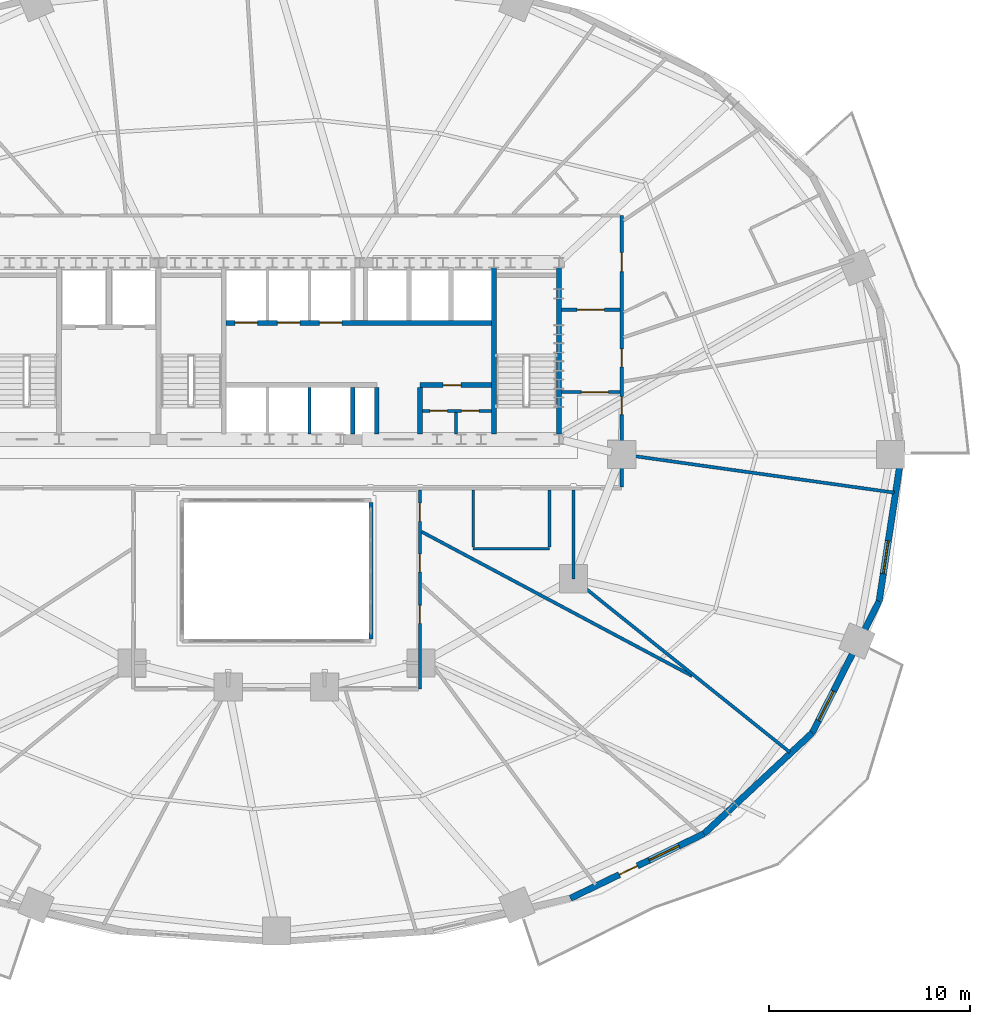
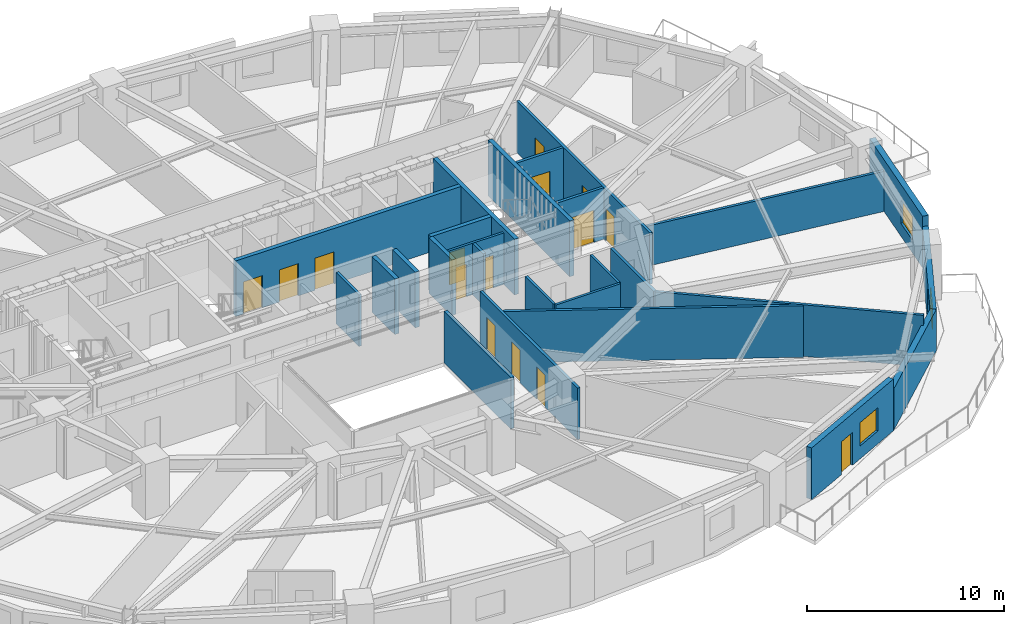
# One storey, part 11 of 17: 26 walls, 15 doors, 3 windows, 18 openings.
"""IFC4 building model written with IfcOpenShell, lengths in metres."""

from ifc_helpers import new_model, si_unit, direction, frame, frame_2d, origin, place, context, subcontext, project, spatial, rectangle, extrude, material, layer, layer_set, type_object, element, fill, save


model = new_model("IFC4")

# Units and contexts
model_context = context("Model", 3, precision=1e-05, world=origin(), true_north=direction((0.0, 1.0)))
body_context = subcontext(model_context, "Body", "Model", "MODEL_VIEW")
ifc_project = project(units=[si_unit("LENGTHUNIT", "METRE"), si_unit("AREAUNIT", "SQUARE_METRE"), si_unit("VOLUMEUNIT", "CUBIC_METRE"), si_unit("PLANEANGLEUNIT", "RADIAN"), si_unit("MASSUNIT", "GRAM", prefix="KILO")], contexts=[model_context])

# Site, building, storey
site_placement = place(None, origin())
site = spatial("IfcSite", under=ifc_project, at=site_placement, CompositionType="ELEMENT")
building_placement = place(site_placement, origin())
building = spatial("IfcBuilding", under=site, at=building_placement, Name="Haldorwick Loom Tower", CompositionType="ELEMENT")
storey_placement = place(building_placement, frame((0.0, 0.0, 61.949951171875)))
storey = spatial("IfcBuildingStorey", under=building, at=storey_placement, Name="L16", CompositionType="ELEMENT", Elevation=61.949951171875)

# Wall, openings, door, window
ifc_material_1 = material(Name="Pressed Clay Face Brick and Insulated Masonry Backup Assembly", Category="masonry")
ifc_layer_1 = layer(ifc_material_1, 0.320068359375, Name="Pressed Clay Face Brick and Insulated Masonry Backup Assembly", Category="masonry")
ifc_layer_set_1 = layer_set([ifc_layer_1], Name="Pressed Clay Face Brick and Insulated Masonry Backup Assembly")
wall_type_1 = type_object("IfcWallType", Name="ARC-WL-EXT320", PredefinedType="STANDARD", material=ifc_layer_set_1)
wall_1_placement = place(storey_placement, frame((50.644775390625, 3.88427734375, 0.0), z_axis=(0.0, 0.0, 1.0), x_axis=(0.900295710431, 0.435278800057, 0.0)))
wall_1 = element("IfcWall", 1, at=wall_1_placement, inside=storey, type_object=wall_type_1, Name="L16 Brick Pier and Spandrel Wall 21", PredefinedType="STANDARD", context=body_context, shape_type="SweptSolid", body=[
    extrude(rectangle(XDim=7.39697265625, YDim=0.320068359375, at=frame_2d((3.698486328125, 0.0))), origin(), (0.0, 0.0, 1.0), 3.2099609375),
])
opening_1_placement = place(wall_1_placement, frame((2.705322265625, 0.0, 0.0)))
opening_1 = element("IfcOpeningElement", 2, at=opening_1_placement, cuts=wall_1, Name="Opening D-BL10", PredefinedType="OPENING", context=body_context, shape_type="SweptSolid", body=[
    extrude(rectangle(XDim=1.0, YDim=2.0400390625, at=frame_2d((0.5, 1.02001953125))), frame((0.0, 0.169921875, 0.0), z_axis=(0.0, -1.0, 0.0), x_axis=(1.0, 0.0, 0.0)), (0.0, 0.0, 1.0), 0.340087890625),
])
opening_2_placement = place(wall_1_placement, frame((4.352783203125, 0.0, 0.800048828125)))
opening_2 = element("IfcOpeningElement", 3, at=opening_2_placement, cuts=wall_1, Name="Opening W-01B", PredefinedType="OPENING", context=body_context, shape_type="SweptSolid", body=[
    extrude(rectangle(XDim=1.64990234375, YDim=1.449951171875, at=frame_2d((0.824951171875, 0.72509765625))), frame((0.0, 0.169921875, 0.0), z_axis=(0.0, -1.0, 0.0), x_axis=(1.0, 0.0, 0.0)), (0.0, 0.0, 1.0), 0.340087890625),
])
ifc_material_2 = material(Name="Thermally Broken Anodized Aluminium Curtain Wall Framing", Category="aluminium")
door_type_1 = type_object("IfcDoorType", Name="ARC-DR-BAL100", OperationType="NOTDEFINED", PredefinedType="DOOR", material=ifc_material_2)
door_1_placement = place(opening_1_placement, origin())
door_1 = element("IfcDoor", 4, at=door_1_placement, inside=storey, type_object=door_type_1, Name="L16 Outdoor Terrace Door SLB-L16-BAL_SE", OperationType="SINGLE_SWING_RIGHT", OverallHeight=2.0400390625, OverallWidth=1.0, PredefinedType="DOOR", context=body_context, shape_type="SweptSolid", body=[
    extrude(rectangle(XDim=1.0, YDim=2.0400390625, at=frame_2d((0.5, 1.02001953125))), frame((0.0, 0.02490234375, 0.0), z_axis=(0.0, -1.0, 0.0), x_axis=(1.0, 0.0, 0.0)), (0.0, 0.0, 1.0), 0.050048828125),
])
fill(opening_1, door_1)
ifc_material_3 = material(Name="Triple-Glazed Low-E Argon Insulated Glazing Unit", Category="glass")
window_type = type_object("IfcWindowType", Name="ARC-WIN-W165", PartitioningType="SINGLE_PANEL", PredefinedType="WINDOW", material=ifc_material_3)
window_1_placement = place(opening_2_placement, origin())
window_1 = element("IfcWindow", 5, at=window_1_placement, inside=storey, type_object=window_type, Name="L16 Deep-Set Zone 7A Window 21", OverallHeight=1.449951171875, OverallWidth=1.64990234375, PartitioningType="SINGLE_PANEL", PredefinedType="WINDOW", context=body_context, shape_type="SweptSolid", body=[
    extrude(rectangle(XDim=1.64990234375, YDim=1.449951171875, at=frame_2d((0.824951171875, 0.72509765625))), frame((0.0, 0.030029296875, 0.0), z_axis=(0.0, -1.0, 0.0), x_axis=(1.0, 0.0, 0.0)), (0.0, 0.0, 1.0), 0.06005859375),
])
fill(opening_2, window_1)

# Wall
wall_2_placement = place(storey_placement, frame((57.30419921875, 7.10400390625, 0.0), z_axis=(0.0, 0.0, 1.0), x_axis=(0.73176101237, 0.681561311091, 0.0)))
element("IfcWall", 6, at=wall_2_placement, inside=storey, type_object=wall_type_1, Name="L16 Brick Pier and Spandrel Wall 22", PredefinedType="STANDARD", context=body_context, shape_type="SweptSolid", body=[
    extrude(rectangle(XDim=7.3583984375, YDim=0.320068359375, at=frame_2d((3.67919921875, 0.0))), origin(), (0.0, 0.0, 1.0), 2.569091796875),
])

# Wall, opening, window
wall_3_placement = place(storey_placement, frame((62.688720703125, 12.119140625, 0.0), z_axis=(0.0, 0.0, 1.0), x_axis=(0.452950855928, 0.891535485617, 0.0)))
wall_3 = element("IfcWall", 7, at=wall_3_placement, inside=storey, type_object=wall_type_1, Name="L16 Brick Pier and Spandrel Wall 23", PredefinedType="STANDARD", context=body_context, shape_type="SweptSolid", body=[
    extrude(rectangle(XDim=7.3583984375, YDim=0.320068359375, at=frame_2d((3.67919921875, 0.0))), origin(), (0.0, 0.0, 1.0), 2.569091796875),
])
opening_3_placement = place(wall_3_placement, frame((0.69921875, 0.0, 0.800048828125)))
opening_3 = element("IfcOpeningElement", 8, at=opening_3_placement, cuts=wall_3, Name="Opening W-01B", PredefinedType="OPENING", context=body_context, shape_type="SweptSolid", body=[
    extrude(rectangle(XDim=1.64990234375, YDim=1.449951171875, at=frame_2d((0.824951171875, 0.72509765625))), frame((0.0, 0.169921875, 0.0), z_axis=(0.0, -1.0, 0.0), x_axis=(1.0, 0.0, 0.0)), (0.0, 0.0, 1.0), 0.340087890625),
])
window_2_placement = place(opening_3_placement, origin())
window_2 = element("IfcWindow", 9, at=window_2_placement, inside=storey, type_object=window_type, Name="L16 Deep-Set Zone 7A Window 23", OverallHeight=1.449951171875, OverallWidth=1.64990234375, PartitioningType="SINGLE_PANEL", PredefinedType="WINDOW", context=body_context, shape_type="SweptSolid", body=[
    extrude(rectangle(XDim=1.64990234375, YDim=1.449951171875, at=frame_2d((0.824951171875, 0.72509765625))), frame((0.0, 0.030029296875, 0.0), z_axis=(0.0, -1.0, 0.0), x_axis=(1.0, 0.0, 0.0)), (0.0, 0.0, 1.0), 0.06005859375),
])
fill(opening_3, window_2)

wall_4_placement = place(storey_placement, frame((66.021728515625, 18.679443359375, 0.0), z_axis=(0.0, 0.0, 1.0), x_axis=(0.150476322528, 0.988613613278, 0.0)))
wall_4 = element("IfcWall", 10, at=wall_4_placement, inside=storey, type_object=wall_type_1, Name="L16 Brick Pier and Spandrel Wall 24", PredefinedType="STANDARD", context=body_context, shape_type="SweptSolid", body=[
    extrude(rectangle(XDim=7.40478515625, YDim=0.320068359375, at=frame_2d((3.702392578125, 0.0))), origin(), (0.0, 0.0, 1.0), 3.2099609375),
])
opening_4_placement = place(wall_4_placement, frame((1.396484375, 0.0, 0.800048828125)))
opening_4 = element("IfcOpeningElement", 11, at=opening_4_placement, cuts=wall_4, Name="Opening W-01B", PredefinedType="OPENING", context=body_context, shape_type="SweptSolid", body=[
    extrude(rectangle(XDim=1.64990234375, YDim=1.449951171875, at=frame_2d((0.824951171875, 0.72509765625))), frame((0.0, 0.169921875, 0.0), z_axis=(0.0, -1.0, 0.0), x_axis=(1.0, 0.0, 0.0)), (0.0, 0.0, 1.0), 0.340087890625),
])
window_3_placement = place(opening_4_placement, origin())
window_3 = element("IfcWindow", 12, at=window_3_placement, inside=storey, type_object=window_type, Name="L16 Deep-Set Zone 7A Window 24", OverallHeight=1.449951171875, OverallWidth=1.64990234375, PartitioningType="SINGLE_PANEL", PredefinedType="WINDOW", context=body_context, shape_type="SweptSolid", body=[
    extrude(rectangle(XDim=1.64990234375, YDim=1.449951171875, at=frame_2d((0.824951171875, 0.72509765625))), frame((0.0, 0.030029296875, 0.0), z_axis=(0.0, -1.0, 0.0), x_axis=(1.0, 0.0, 0.0)), (0.0, 0.0, 1.0), 0.06005859375),
])
fill(opening_4, window_3)

# Wall, openings, doors
ifc_material_4 = material(Name="Fire-Rated Type X Gypsum Stud Assembly EI 60")
ifc_layer_2 = layer(ifc_material_4, 0.159912109375, Name="Fire-Rated Type X Gypsum Stud Assembly EI 60")
ifc_layer_set_2 = layer_set([ifc_layer_2], Name="Fire-Rated Type X Gypsum Stud Assembly EI 60")
wall_type_2 = type_object("IfcWallType", Name="ARC-WL-FIRE160", PredefinedType="PARTITIONING", material=ifc_layer_set_2)
wall_5_placement = place(storey_placement, frame((53.199951171875, 24.383056640625, 0.0), z_axis=(0.0, 0.0, 1.0), x_axis=(0.0, 1.0, 0.0)))
wall_5 = element("IfcWall", 13, at=wall_5_placement, inside=storey, type_object=wall_type_2, Name="L16 Residential Fire Partition L16-CR-E0", PredefinedType="PARTITIONING", context=body_context, shape_type="SweptSolid", body=[
    extrude(rectangle(XDim=13.516845703125, YDim=0.159912109375, at=frame_2d((6.75830078125, 0.0))), origin(), (0.0, 0.0, 1.0), 3.195068359375),
])
opening_5_placement = place(wall_5_placement, frame((10.71533203125, 0.0, 0.0)))
opening_5 = element("IfcOpeningElement", 14, at=opening_5_placement, cuts=wall_5, Name="Opening D-FL95", PredefinedType="OPENING", context=body_context, shape_type="SweptSolid", body=[
    extrude(rectangle(XDim=0.949951171875, YDim=2.0400390625, at=frame_2d((0.47509765625, 1.02001953125))), frame((0.0, 0.08984375, 0.0), z_axis=(0.0, -1.0, 0.0), x_axis=(1.0, 0.0, 0.0)), (0.0, 0.0, 1.0), 0.179931640625),
])
opening_6_placement = place(wall_5_placement, frame((3.5908203125, 0.0, 0.0)))
opening_6 = element("IfcOpeningElement", 15, at=opening_6_placement, cuts=wall_5, Name="Opening D-FD60A", PredefinedType="OPENING", context=body_context, shape_type="SweptSolid", body=[
    extrude(rectangle(XDim=0.89990234375, YDim=2.0, at=frame_2d((0.449951171875, 1.0))), frame((0.0, 0.08984375, 0.0), z_axis=(0.0, -1.0, 0.0), x_axis=(1.0, 0.0, 0.0)), (0.0, 0.0, 1.0), 0.179931640625),
])
opening_7_placement = place(wall_5_placement, frame((5.97607421875, 0.0, 0.0)))
opening_7 = element("IfcOpeningElement", 16, at=opening_7_placement, cuts=wall_5, Name="Opening D-FD60A", PredefinedType="OPENING", context=body_context, shape_type="SweptSolid", body=[
    extrude(rectangle(XDim=0.89990234375, YDim=2.0, at=frame_2d((0.449951171875, 1.0))), frame((0.0, 0.08984375, 0.0), z_axis=(0.0, -1.0, 0.0), x_axis=(1.0, 0.0, 0.0)), (0.0, 0.0, 1.0), 0.179931640625),
])
ifc_material_5 = material(Name="Hollow Steel Fire Door Assembly", Category="steel")
door_type_2 = type_object("IfcDoorType", Name="ARC-DR-FD60-90", OperationType="NOTDEFINED", PredefinedType="DOOR", material=ifc_material_5)
door_2_placement = place(opening_6_placement, origin())
door_2 = element("IfcDoor", 17, at=door_2_placement, inside=storey, type_object=door_type_2, Name="L16 L16 Central Residential Corridor to Tenant Seminar Meeting Room 14 D", OperationType="SINGLE_SWING_RIGHT", OverallHeight=2.0, OverallWidth=0.89990234375, PredefinedType="DOOR", context=body_context, shape_type="SweptSolid", body=[
    extrude(rectangle(XDim=0.89990234375, YDim=2.0, at=frame_2d((0.449951171875, 1.0))), frame((0.0, 0.02490234375, 0.0), z_axis=(0.0, -1.0, 0.0), x_axis=(1.0, 0.0, 0.0)), (0.0, 0.0, 1.0), 0.050048828125),
])
fill(opening_6, door_2)
door_3_placement = place(opening_7_placement, origin())
door_3 = element("IfcDoor", 18, at=door_3_placement, inside=storey, type_object=door_type_2, Name="L16 L16 East Residential Corridor to Tenant Seminar Meeting Room 15 Door", OperationType="SINGLE_SWING_LEFT", OverallHeight=2.0, OverallWidth=0.89990234375, PredefinedType="DOOR", context=body_context, shape_type="SweptSolid", body=[
    extrude(rectangle(XDim=0.89990234375, YDim=2.0, at=frame_2d((0.449951171875, 1.0))), frame((0.0, 0.02490234375, 0.0), z_axis=(0.0, -1.0, 0.0), x_axis=(1.0, 0.0, 0.0)), (0.0, 0.0, 1.0), 0.050048828125),
])
fill(opening_7, door_3)
ifc_material_6 = material(Name="Solid Core Birch Architectural Door")
door_type_3 = type_object("IfcDoorType", Name="ARC-DR-FLAT95", OperationType="NOTDEFINED", PredefinedType="DOOR", material=ifc_material_6)
door_4_placement = place(opening_5_placement, origin())
door_4 = element("IfcDoor", 19, at=door_4_placement, inside=storey, type_object=door_type_3, Name="L16 L16 North Residential Corridor to Unit 16G Kitchen and Living Room D", OperationType="SINGLE_SWING_RIGHT", OverallHeight=2.0400390625, OverallWidth=0.949951171875, PredefinedType="DOOR", context=body_context, shape_type="SweptSolid", body=[
    extrude(rectangle(XDim=0.949951171875, YDim=2.0400390625, at=frame_2d((0.47509765625, 1.02001953125))), frame((0.0, 0.02490234375, 0.0), z_axis=(0.0, -1.0, 0.0), x_axis=(1.0, 0.0, 0.0)), (0.0, 0.0, 1.0), 0.050048828125),
])
fill(opening_5, door_4)

# Wall, opening, door
wall_6_placement = place(storey_placement, frame((50.193115234375, 29.10009765625, 0.0), z_axis=(0.0, 0.0, 1.0), x_axis=(1.0, 0.0, 0.0)))
wall_6 = element("IfcWall", 20, at=wall_6_placement, inside=storey, type_object=wall_type_2, Name="L16 Residential Fire Partition L16-CR-ESJ", PredefinedType="PARTITIONING", context=body_context, shape_type="SweptSolid", body=[
    extrude(rectangle(XDim=2.923828125, YDim=0.159912109375, at=frame_2d((1.4619140625, 0.0))), origin(), (0.0, 0.0, 1.0), 3.195068359375),
])
opening_8_placement = place(wall_6_placement, frame((0.99560546875, 0.0, 0.0)))
opening_8 = element("IfcOpeningElement", 21, at=opening_8_placement, cuts=wall_6, Name="Opening D-CR15", PredefinedType="OPENING", context=body_context, shape_type="SweptSolid", body=[
    extrude(rectangle(XDim=1.35009765625, YDim=2.0, at=frame_2d((0.675048828125, 1.0))), frame((0.0, 0.08984375, 0.0), z_axis=(0.0, -1.0, 0.0), x_axis=(1.0, 0.0, 0.0)), (0.0, 0.0, 1.0), 0.179931640625),
])
ifc_material_7 = material(Name="Thermally Broken Anodized Aluminium and Tempered Glass", Category="aluminium")
door_type_4 = type_object("IfcDoorType", Name="ARC-DR-COR150", OperationType="NOTDEFINED", PredefinedType="DOOR", material=ifc_material_7)
door_5_placement = place(opening_8_placement, origin())
door_5 = element("IfcDoor", 22, at=door_5_placement, inside=storey, type_object=door_type_4, Name="L16 L16 East Residential Corridor to L16 Central Residential Corridor Do", OperationType="DOUBLE_DOOR_SINGLE_SWING", OverallHeight=2.0, OverallWidth=1.35009765625, PredefinedType="DOOR", context=body_context, shape_type="SweptSolid", body=[
    extrude(rectangle(XDim=1.35009765625, YDim=2.0, at=frame_2d((0.675048828125, 1.0))), frame((0.0, 0.02490234375, 0.0), z_axis=(0.0, -1.0, 0.0), x_axis=(1.0, 0.0, 0.0)), (0.0, 0.0, 1.0), 0.050048828125),
])
fill(opening_8, door_5)

wall_7_placement = place(storey_placement, frame((50.193115234375, 33.199951171875, 0.0), z_axis=(0.0, 0.0, 1.0), x_axis=(1.0, 0.0, 0.0)))
wall_7 = element("IfcWall", 23, at=wall_7_placement, inside=storey, type_object=wall_type_2, Name="L16 Residential Fire Partition L16-CR-ENJ", PredefinedType="PARTITIONING", context=body_context, shape_type="SweptSolid", body=[
    extrude(rectangle(XDim=2.923828125, YDim=0.159912109375, at=frame_2d((1.4619140625, 0.0))), origin(), (0.0, 0.0, 1.0), 3.195068359375),
])
opening_9_placement = place(wall_7_placement, frame((0.787109375, 0.0, 0.0)))
opening_9 = element("IfcOpeningElement", 24, at=opening_9_placement, cuts=wall_7, Name="Opening D-CR15", PredefinedType="OPENING", context=body_context, shape_type="SweptSolid", body=[
    extrude(rectangle(XDim=1.35009765625, YDim=2.0, at=frame_2d((0.675048828125, 1.0))), frame((0.0, 0.08984375, 0.0), z_axis=(0.0, -1.0, 0.0), x_axis=(1.0, 0.0, 0.0)), (0.0, 0.0, 1.0), 0.179931640625),
])
door_6_placement = place(opening_9_placement, origin())
door_6 = element("IfcDoor", 25, at=door_6_placement, inside=storey, type_object=door_type_4, Name="L16 L16 North Residential Corridor to L16 East Residential Corridor Door", OperationType="DOUBLE_DOOR_SINGLE_SWING", OverallHeight=2.0, OverallWidth=1.35009765625, PredefinedType="DOOR", context=body_context, shape_type="SweptSolid", body=[
    extrude(rectangle(XDim=1.35009765625, YDim=2.0, at=frame_2d((0.675048828125, 1.0))), frame((0.0, 0.02490234375, 0.0), z_axis=(0.0, -1.0, 0.0), x_axis=(1.0, 0.0, 0.0)), (0.0, 0.0, 1.0), 0.050048828125),
])
fill(opening_9, door_6)

# Wall, openings, doors
wall_8_placement = place(storey_placement, frame((43.14990234375, 14.300048828125, 0.0), z_axis=(0.0, 0.0, 1.0), x_axis=(0.0, 1.0, 0.0)))
wall_8 = element("IfcWall", 26, at=wall_8_placement, inside=storey, type_object=wall_type_2, Name="L16 Residential Fire Partition L16-CR-AE", PredefinedType="PARTITIONING", context=body_context, shape_type="SweptSolid", body=[
    extrude(rectangle(XDim=9.9169921875, YDim=0.159912109375, at=frame_2d((4.95849609375, 0.0))), origin(), (0.0, 0.0, 1.0), 3.195068359375),
])
opening_10_placement = place(wall_8_placement, frame((3.27978515625, 0.0, 0.0)))
opening_10 = element("IfcOpeningElement", 27, at=opening_10_placement, cuts=wall_8, Name="Opening D-FD60A", PredefinedType="OPENING", context=body_context, shape_type="SweptSolid", body=[
    extrude(rectangle(XDim=0.89990234375, YDim=2.0, at=frame_2d((0.449951171875, 1.0))), frame((0.0, 0.08984375, 0.0), z_axis=(0.0, -1.0, 0.0), x_axis=(1.0, 0.0, 0.0)), (0.0, 0.0, 1.0), 0.179931640625),
])
opening_11_placement = place(wall_8_placement, frame((5.830810546875, 0.0, 0.0)))
opening_11 = element("IfcOpeningElement", 28, at=opening_11_placement, cuts=wall_8, Name="Opening D-FD60A", PredefinedType="OPENING", context=body_context, shape_type="SweptSolid", body=[
    extrude(rectangle(XDim=0.89990234375, YDim=2.0, at=frame_2d((0.449951171875, 1.0))), frame((0.0, 0.08984375, 0.0), z_axis=(0.0, -1.0, 0.0), x_axis=(1.0, 0.0, 0.0)), (0.0, 0.0, 1.0), 0.179931640625),
])
opening_12_placement = place(wall_8_placement, frame((8.364990234375, 0.0, 0.0)))
opening_12 = element("IfcOpeningElement", 29, at=opening_12_placement, cuts=wall_8, Name="Opening D-FD60A", PredefinedType="OPENING", context=body_context, shape_type="SweptSolid", body=[
    extrude(rectangle(XDim=0.89990234375, YDim=2.0, at=frame_2d((0.449951171875, 1.0))), frame((0.0, 0.08984375, 0.0), z_axis=(0.0, -1.0, 0.0), x_axis=(1.0, 0.0, 0.0)), (0.0, 0.0, 1.0), 0.179931640625),
])
door_7_placement = place(opening_10_placement, origin())
door_7 = element("IfcDoor", 30, at=door_7_placement, inside=storey, type_object=door_type_2, Name="L16 L16 South Atrium Corridor to Tenant Seminar Meeting Room 11 Door", OperationType="SINGLE_SWING_RIGHT", OverallHeight=2.0, OverallWidth=0.89990234375, PredefinedType="DOOR", context=body_context, shape_type="SweptSolid", body=[
    extrude(rectangle(XDim=0.89990234375, YDim=2.0, at=frame_2d((0.449951171875, 1.0))), frame((0.0, 0.02490234375, 0.0), z_axis=(0.0, -1.0, 0.0), x_axis=(1.0, 0.0, 0.0)), (0.0, 0.0, 1.0), 0.050048828125),
])
fill(opening_10, door_7)
door_8_placement = place(opening_11_placement, origin())
door_8 = element("IfcDoor", 31, at=door_8_placement, inside=storey, type_object=door_type_2, Name="L16 L16 South Atrium Corridor to Tenant Seminar Meeting Room 12 Door", OperationType="SINGLE_SWING_RIGHT", OverallHeight=2.0, OverallWidth=0.89990234375, PredefinedType="DOOR", context=body_context, shape_type="SweptSolid", body=[
    extrude(rectangle(XDim=0.89990234375, YDim=2.0, at=frame_2d((0.449951171875, 1.0))), frame((0.0, 0.02490234375, 0.0), z_axis=(0.0, -1.0, 0.0), x_axis=(1.0, 0.0, 0.0)), (0.0, 0.0, 1.0), 0.050048828125),
])
fill(opening_11, door_8)
door_9_placement = place(opening_12_placement, origin())
door_9 = element("IfcDoor", 32, at=door_9_placement, inside=storey, type_object=door_type_2, Name="L16 L16 South Atrium Corridor to Telehealth Consultation Room 1 Door", OperationType="SINGLE_SWING_RIGHT", OverallHeight=2.0, OverallWidth=0.89990234375, PredefinedType="DOOR", context=body_context, shape_type="SweptSolid", body=[
    extrude(rectangle(XDim=0.89990234375, YDim=2.0, at=frame_2d((0.449951171875, 1.0))), frame((0.0, 0.02490234375, 0.0), z_axis=(0.0, -1.0, 0.0), x_axis=(1.0, 0.0, 0.0)), (0.0, 0.0, 1.0), 0.050048828125),
])
fill(opening_12, door_9)

# Walls
wall_9_placement = place(storey_placement, frame((53.282958984375, 25.98828125, 0.0), z_axis=(0.0, 0.0, 1.0), x_axis=(0.990269349873, -0.139163984935, 0.0)))
element("IfcWall", 33, at=wall_9_placement, inside=storey, type_object=wall_type_2, Name="L16 Residential Fire Partition L16-ICR-01", PredefinedType="PARTITIONING", context=body_context, shape_type="SweptSolid", body=[
    extrude(rectangle(XDim=13.62939453125, YDim=0.159912109375, at=frame_2d((6.814697265625, 0.0))), origin(), (0.0, 0.0, 1.0), 2.489990234375),
])
wall_10_placement = place(storey_placement, frame((50.800048828125, 19.800048828125, 0.0), z_axis=(0.0, 0.0, 1.0), x_axis=(0.780107253362, -0.625645804951, 0.0)))
element("IfcWall", 34, at=wall_10_placement, inside=storey, type_object=wall_type_2, Name="L16 Residential Fire Partition L16-ICR-03", PredefinedType="PARTITIONING", context=body_context, shape_type="SweptSolid", body=[
    extrude(rectangle(XDim=13.80322265625, YDim=0.159912109375, at=frame_2d((6.901611328125, 0.0))), origin(), (0.0, 0.0, 1.0), 3.195068359375),
])
wall_11_placement = place(storey_placement, frame((50.800048828125, 24.217041015625, 0.0), z_axis=(0.0, 0.0, 1.0), x_axis=(0.0, -1.0, 0.0)))
element("IfcWall", 35, at=wall_11_placement, inside=storey, type_object=wall_type_2, Name="L16 Residential Fire Partition L16-ICA-02", PredefinedType="PARTITIONING", context=body_context, shape_type="SweptSolid", body=[
    extrude(rectangle(XDim=4.4169921875, YDim=0.159912109375, at=frame_2d((2.20849609375, 0.0))), origin(), (0.0, 0.0, 1.0), 3.195068359375),
])
wall_12_placement = place(storey_placement, frame((43.23291015625, 22.142822265625, 0.0), z_axis=(0.0, 0.0, 1.0), x_axis=(0.88238216171, -0.470533442696, 0.0)))
element("IfcWall", 36, at=wall_12_placement, inside=storey, type_object=wall_type_2, Name="L16 Suite Split Wall", PredefinedType="PARTITIONING", context=body_context, shape_type="SweptSolid", body=[
    extrude(rectangle(XDim=15.263916015625, YDim=0.159912109375, at=frame_2d((7.6318359375, 0.0))), origin(), (0.0, 0.0, 1.0), 3.195068359375),
])
ifc_material_8 = material(Name="Fire-Rated Type X Gypsum Stud Assembly EI 120")
ifc_layer_3 = layer(ifc_material_8, 0.199951171875, Name="Fire-Rated Type X Gypsum Stud Assembly EI 120")
ifc_layer_set_3 = layer_set([ifc_layer_3], Name="Fire-Rated Type X Gypsum Stud Assembly EI 120")
wall_type_3 = type_object("IfcWallType", Name="ARC-WL-FIRE200", PredefinedType="PARTITIONING", material=ifc_layer_set_3)
wall_13_placement = place(storey_placement, frame((40.699951171875, 23.596923828125, 0.0), z_axis=(0.0, 0.0, 1.0), x_axis=(0.0, -1.0, 0.0)))
element("IfcWall", 37, at=wall_13_placement, inside=storey, type_object=wall_type_3, Name="L16 Atrium Fire Enclosure Wall E", PredefinedType="PARTITIONING", context=body_context, shape_type="SweptSolid", body=[
    extrude(rectangle(XDim=6.7939453125, YDim=0.199951171875, at=frame_2d((3.39697265625, 0.0))), origin(), (0.0, 0.0, 1.0), 3.195068359375),
])

# Wall, openings, doors
ifc_layer_4 = layer(ifc_material_4, 0.139892578125, Name="Fire-Rated Type X Gypsum Stud Assembly EI 60")
ifc_layer_set_4 = layer_set([ifc_layer_4], Name="Fire-Rated Type X Gypsum Stud Assembly EI 60")
wall_type_4 = type_object("IfcWallType", Name="ARC-WL-PART140", PredefinedType="PARTITIONING", material=ifc_layer_set_4)
wall_14_placement = place(storey_placement, frame((43.27294921875, 28.159912109375, 0.0), z_axis=(0.0, 0.0, 1.0), x_axis=(1.0, 0.0, 0.0)))
wall_14 = element("IfcWall", 38, at=wall_14_placement, inside=storey, type_object=wall_type_4, Name="L16 Telecom Partition", PredefinedType="PARTITIONING", context=body_context, shape_type="SweptSolid", body=[
    extrude(rectangle(XDim=3.43408203125, YDim=0.139892578125, at=frame_2d((1.717041015625, 0.0))), origin(), (0.0, 0.0, 1.0), 3.195068359375),
])
opening_13_placement = place(wall_14_placement, frame((0.366943359375, 0.0, 0.0)))
opening_13 = element("IfcOpeningElement", 39, at=opening_13_placement, cuts=wall_14, Name="Opening D-BT88", PredefinedType="OPENING", context=body_context, shape_type="SweptSolid", body=[
    extrude(rectangle(XDim=0.8798828125, YDim=2.02001953125, at=frame_2d((0.43994140625, 1.010009765625))), frame((0.0, 0.079833984375, 0.0), z_axis=(0.0, -1.0, 0.0), x_axis=(1.0, 0.0, 0.0)), (0.0, 0.0, 1.0), 0.159912109375),
])
opening_14_placement = place(wall_14_placement, frame((1.93701171875, 0.0, 0.0)))
opening_14 = element("IfcOpeningElement", 40, at=opening_14_placement, cuts=wall_14, Name="Opening D-BT88", PredefinedType="OPENING", context=body_context, shape_type="SweptSolid", body=[
    extrude(rectangle(XDim=0.8798828125, YDim=2.02001953125, at=frame_2d((0.43994140625, 1.010009765625))), frame((0.0, 0.079833984375, 0.0), z_axis=(0.0, -1.0, 0.0), x_axis=(1.0, 0.0, 0.0)), (0.0, 0.0, 1.0), 0.159912109375),
])
door_type_5 = type_object("IfcDoorType", Name="ARC-DR-BATH88", OperationType="NOTDEFINED", PredefinedType="DOOR", material=ifc_material_6)
door_10_placement = place(opening_13_placement, origin())
door_10 = element("IfcDoor", 41, at=door_10_placement, inside=storey, type_object=door_type_5, Name="L16 Telecom Room Door", OperationType="SINGLE_SWING_LEFT", OverallHeight=2.02001953125, OverallWidth=0.8798828125, PredefinedType="DOOR", context=body_context, shape_type="SweptSolid", body=[
    extrude(rectangle(XDim=0.8798828125, YDim=2.02001953125, at=frame_2d((0.43994140625, 1.010009765625))), frame((0.0, 0.02490234375, 0.0), z_axis=(0.0, -1.0, 0.0), x_axis=(1.0, 0.0, 0.0)), (0.0, 0.0, 1.0), 0.050048828125),
])
fill(opening_13, door_10)
door_11_placement = place(opening_14_placement, origin())
door_11 = element("IfcDoor", 42, at=door_11_placement, inside=storey, type_object=door_type_5, Name="L16 Metering Closet Door", OperationType="SINGLE_SWING_RIGHT", OverallHeight=2.02001953125, OverallWidth=0.8798828125, PredefinedType="DOOR", context=body_context, shape_type="SweptSolid", body=[
    extrude(rectangle(XDim=0.8798828125, YDim=2.02001953125, at=frame_2d((0.43994140625, 1.010009765625))), frame((0.0, 0.02490234375, 0.0), z_axis=(0.0, -1.0, 0.0), x_axis=(1.0, 0.0, 0.0)), (0.0, 0.0, 1.0), 0.050048828125),
])
fill(opening_14, door_11)

# Walls
wall_15_placement = place(storey_placement, frame((44.949951171875, 27.0029296875, 0.0), z_axis=(0.0, 0.0, 1.0), x_axis=(0.0, 1.0, 0.0)))
element("IfcWall", 43, at=wall_15_placement, inside=storey, type_object=wall_type_4, Name="L16 Metering Sub-Partition", PredefinedType="PARTITIONING", context=body_context, shape_type="SweptSolid", body=[
    extrude(rectangle(XDim=1.083984375, YDim=0.139892578125, at=frame_2d((0.5419921875, 0.0))), origin(), (0.0, 0.0, 1.0), 3.195068359375),
])
wall_16_placement = place(storey_placement, frame((45.800048828125, 21.300048828125, 0.0), z_axis=(0.0, 0.0, 1.0), x_axis=(1.0, 0.0, 0.0)))
element("IfcWall", 44, at=wall_16_placement, inside=storey, type_object=wall_type_4, Name="L16 Residential Fire Partition L16-CWC-S", PredefinedType="PARTITIONING", context=body_context, shape_type="SweptSolid", body=[
    extrude(rectangle(XDim=3.800048828125, YDim=0.139892578125, at=frame_2d((1.89990234375, 0.0))), origin(), (0.0, 0.0, 1.0), 3.195068359375),
])
for number, where, z_axis, x_axis, name in (
    (45, (45.800048828125, 21.373046875, 0.0), (0.0, 0.0, 1.0), (0.0, 1.0, 0.0), "L16 Residential Fire Partition L16-CWC-W"),
    (46, (49.60009765625, 21.373046875, 0.0), (0.0, 0.0, 1.0), (0.0, 1.0, 0.0), "L16 Residential Fire Partition L16-CWC-E"),
):
    element("IfcWall", number, at=place(storey_placement, frame(where, z_axis=z_axis, x_axis=x_axis)), inside=storey, type_object=wall_type_4, Name=name, PredefinedType="PARTITIONING", context=body_context, shape_type="SweptSolid", body=[
        extrude(rectangle(XDim=2.843994140625, YDim=0.139892578125, at=frame_2d((1.421875, 0.0))), origin(), (0.0, 0.0, 1.0), 3.195068359375),
    ])
ifc_layer_5 = layer(ifc_material_8, 0.1650390625, Name="Fire-Rated Type X Gypsum Stud Assembly EI 120")
ifc_layer_set_5 = layer_set([ifc_layer_5], Name="Fire-Rated Type X Gypsum Stud Assembly EI 120")
wall_type_5 = type_object("IfcWallType", Name="ARC-WL-SHAFT160", PredefinedType="MOVABLE", material=ifc_layer_set_5)
wall_17_placement = place(storey_placement, frame((37.64990234375, 27.0029296875, 0.0), z_axis=(0.0, 0.0, 1.0), x_axis=(0.0, 1.0, 0.0)))
element("IfcWall", 47, at=wall_17_placement, inside=storey, type_object=wall_type_5, Name="L16 Mid-Rise Hoistway Divider 2", PredefinedType="MOVABLE", context=body_context, shape_type="SweptSolid", body=[
    extrude(rectangle(XDim=2.323974609375, YDim=0.159912109375, at=frame_2d((1.162109375, 0.0))), origin(), (0.0, 0.0, 1.0), 3.195068359375),
])
ifc_material_9 = material(Name="Concrete C50 (50 MPa)", Category="concrete")
ifc_layer_6 = layer(ifc_material_9, 0.239990234375, Name="Concrete C50 (50 MPa)", Category="concrete")
ifc_layer_set_6 = layer_set([ifc_layer_6], Name="Concrete C50 (50 MPa)")
wall_type_6 = type_object("IfcWallType", Name="STR-WL-SHAFT240", PredefinedType="SHEAR", material=ifc_layer_set_6)
for number, where, z_axis, x_axis, name in (
    (48, (50.070068359375, 27.0029296875, 0.0), (0.0, 0.0, 1.0), (0.0, 1.0, 0.0), "L16 Core Shear Wall E"),
    (49, (46.830078125, 27.0029296875, 0.0), (0.0, 0.0, 1.0), (0.0, 1.0, 0.0), "L16 Core Shear Wall 4"),
):
    element("IfcWall", number, at=place(storey_placement, frame(where, z_axis=z_axis, x_axis=x_axis)), inside=storey, type_object=wall_type_6, Name=name, PredefinedType="SHEAR", context=body_context, shape_type="SweptSolid", body=[
        extrude(rectangle(XDim=8.294189453125, YDim=0.239990234375, at=frame_2d((4.14697265625, 0.0))), origin(), (0.0, 0.0, 1.0), 3.449951171875),
    ])

# Wall, openings, doors
wall_18_placement = place(storey_placement, frame((33.492919921875, 32.550048828125, 0.0), z_axis=(0.0, 0.0, 1.0), x_axis=(1.0, 0.0, 0.0)))
wall_18 = element("IfcWall", 50, at=wall_18_placement, inside=storey, type_object=wall_type_6, Name="L16 Core Shear Wall LN", PredefinedType="SHEAR", context=body_context, shape_type="SweptSolid", body=[
    extrude(rectangle(XDim=13.214111328125, YDim=0.239990234375, at=frame_2d((6.60693359375, 0.0))), origin(), (0.0, 0.0, 1.0), 3.449951171875),
])
opening_15_placement = place(wall_18_placement, frame((0.447021484375, 0.0, 0.0)))
opening_15 = element("IfcOpeningElement", 51, at=opening_15_placement, cuts=wall_18, Name="Opening LD-L1", PredefinedType="OPENING", context=body_context, shape_type="SweptSolid", body=[
    extrude(rectangle(XDim=1.1201171875, YDim=2.0, at=frame_2d((0.56005859375, 1.0))), frame((0.0, 0.1298828125, 0.0), z_axis=(0.0, -1.0, 0.0), x_axis=(1.0, 0.0, 0.0)), (0.0, 0.0, 1.0), 0.260009765625),
])
opening_16_placement = place(wall_18_placement, frame((2.547119140625, 0.0, 0.0)))
opening_16 = element("IfcOpeningElement", 52, at=opening_16_placement, cuts=wall_18, Name="Opening LD-L2", PredefinedType="OPENING", context=body_context, shape_type="SweptSolid", body=[
    extrude(rectangle(XDim=1.1201171875, YDim=2.0, at=frame_2d((0.56005859375, 1.0))), frame((0.0, 0.1298828125, 0.0), z_axis=(0.0, -1.0, 0.0), x_axis=(1.0, 0.0, 0.0)), (0.0, 0.0, 1.0), 0.260009765625),
])
opening_17_placement = place(wall_18_placement, frame((4.64697265625, 0.0, 0.0)))
opening_17 = element("IfcOpeningElement", 53, at=opening_17_placement, cuts=wall_18, Name="Opening LD-L3", PredefinedType="OPENING", context=body_context, shape_type="SweptSolid", body=[
    extrude(rectangle(XDim=1.1201171875, YDim=2.0, at=frame_2d((0.56005859375, 1.0))), frame((0.0, 0.1298828125, 0.0), z_axis=(0.0, -1.0, 0.0), x_axis=(1.0, 0.0, 0.0)), (0.0, 0.0, 1.0), 0.260009765625),
])
door_type_6 = type_object("IfcDoorType", Name="ARC-DR-LD-PAX", OperationType="NOTDEFINED", PredefinedType="USERDEFINED", material=ifc_material_5)
door_12_placement = place(opening_15_placement, origin())
door_12 = element("IfcDoor", 54, at=door_12_placement, inside=storey, type_object=door_type_6, Name="L16 Lift LF-L1 Sliding Landing Door", ObjectType="LANDING DOOR", OperationType="DOUBLE_DOOR_SLIDING", OverallHeight=2.0, OverallWidth=1.1201171875, PredefinedType="USERDEFINED", context=body_context, shape_type="SweptSolid", body=[
    extrude(rectangle(XDim=1.1201171875, YDim=2.0, at=frame_2d((0.56005859375, 1.0))), frame((0.0, 0.02490234375, 0.0), z_axis=(0.0, -1.0, 0.0), x_axis=(1.0, 0.0, 0.0)), (0.0, 0.0, 1.0), 0.050048828125),
])
fill(opening_15, door_12)
door_13_placement = place(opening_16_placement, origin())
door_13 = element("IfcDoor", 55, at=door_13_placement, inside=storey, type_object=door_type_6, Name="L16 Lift LF-L2 Sliding Landing Door", ObjectType="LANDING DOOR", OperationType="DOUBLE_DOOR_SLIDING", OverallHeight=2.0, OverallWidth=1.1201171875, PredefinedType="USERDEFINED", context=body_context, shape_type="SweptSolid", body=[
    extrude(rectangle(XDim=1.1201171875, YDim=2.0, at=frame_2d((0.56005859375, 1.0))), frame((0.0, 0.02490234375, 0.0), z_axis=(0.0, -1.0, 0.0), x_axis=(1.0, 0.0, 0.0)), (0.0, 0.0, 1.0), 0.050048828125),
])
fill(opening_16, door_13)
door_14_placement = place(opening_17_placement, origin())
door_14 = element("IfcDoor", 56, at=door_14_placement, inside=storey, type_object=door_type_6, Name="L16 Lift LF-L3 Sliding Landing Door", ObjectType="LANDING DOOR", OperationType="DOUBLE_DOOR_SLIDING", OverallHeight=2.0, OverallWidth=1.1201171875, PredefinedType="USERDEFINED", context=body_context, shape_type="SweptSolid", body=[
    extrude(rectangle(XDim=1.1201171875, YDim=2.0, at=frame_2d((0.56005859375, 1.0))), frame((0.0, 0.02490234375, 0.0), z_axis=(0.0, -1.0, 0.0), x_axis=(1.0, 0.0, 0.0)), (0.0, 0.0, 1.0), 0.050048828125),
])
fill(opening_17, door_14)

# Wall, opening, door
wall_19_placement = place(storey_placement, frame((43.14990234375, 29.449951171875, 0.0), z_axis=(0.0, 0.0, 1.0), x_axis=(1.0, 0.0, 0.0)))
wall_19 = element("IfcWall", 57, at=wall_19_placement, inside=storey, type_object=wall_type_6, Name="L16 Core Shear Wall LS2", PredefinedType="SHEAR", context=body_context, shape_type="SweptSolid", body=[
    extrude(rectangle(XDim=3.55712890625, YDim=0.239990234375, at=frame_2d((1.778564453125, 0.0))), origin(), (0.0, 0.0, 1.0), 3.449951171875),
])
opening_18_placement = place(wall_19_placement, frame((1.14990234375, 0.0, 0.0)))
opening_18 = element("IfcOpeningElement", 58, at=opening_18_placement, cuts=wall_19, Name="Opening D-FD60A", PredefinedType="OPENING", context=body_context, shape_type="SweptSolid", body=[
    extrude(rectangle(XDim=0.89990234375, YDim=2.0, at=frame_2d((0.449951171875, 1.0))), frame((0.0, 0.1298828125, 0.0), z_axis=(0.0, -1.0, 0.0), x_axis=(1.0, 0.0, 0.0)), (0.0, 0.0, 1.0), 0.260009765625),
])
door_15_placement = place(opening_18_placement, origin())
door_15 = element("IfcDoor", 59, at=door_15_placement, inside=storey, type_object=door_type_2, Name="L16 Janitor Closet Door", OperationType="SINGLE_SWING_LEFT", OverallHeight=2.0, OverallWidth=0.89990234375, PredefinedType="DOOR", context=body_context, shape_type="SweptSolid", body=[
    extrude(rectangle(XDim=0.89990234375, YDim=2.0, at=frame_2d((0.449951171875, 1.0))), frame((0.0, 0.02490234375, 0.0), z_axis=(0.0, -1.0, 0.0), x_axis=(1.0, 0.0, 0.0)), (0.0, 0.0, 1.0), 0.050048828125),
])
fill(opening_18, door_15)

# Walls
for number, where, z_axis, x_axis, name in (
    (60, (41.0, 27.0029296875, 0.0), (0.0, 0.0, 1.0), (0.0, 1.0, 0.0), "L16 Core Shear Wall THW"),
    (61, (43.14990234375, 27.0029296875, 0.0), (0.0, 0.0, 1.0), (0.0, 1.0, 0.0), "L16 Core Shear Wall THE"),
    (62, (39.800048828125, 27.0029296875, 0.0), (0.0, 0.0, 1.0), (0.0, 1.0, 0.0), "L16 Core Shear Wall MRW"),
):
    element("IfcWall", number, at=place(storey_placement, frame(where, z_axis=z_axis, x_axis=x_axis)), inside=storey, type_object=wall_type_6, Name=name, PredefinedType="SHEAR", context=body_context, shape_type="SweptSolid", body=[
        extrude(rectangle(XDim=2.323974609375, YDim=0.239990234375, at=frame_2d((1.162109375, 0.0))), origin(), (0.0, 0.0, 1.0), 3.449951171875),
    ])

save(model, "model.ifc")
